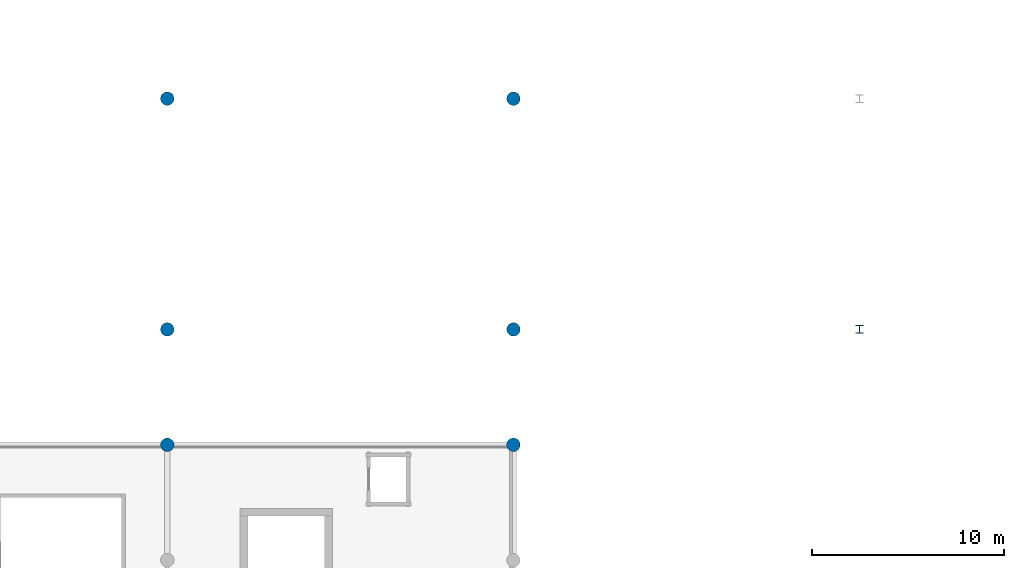
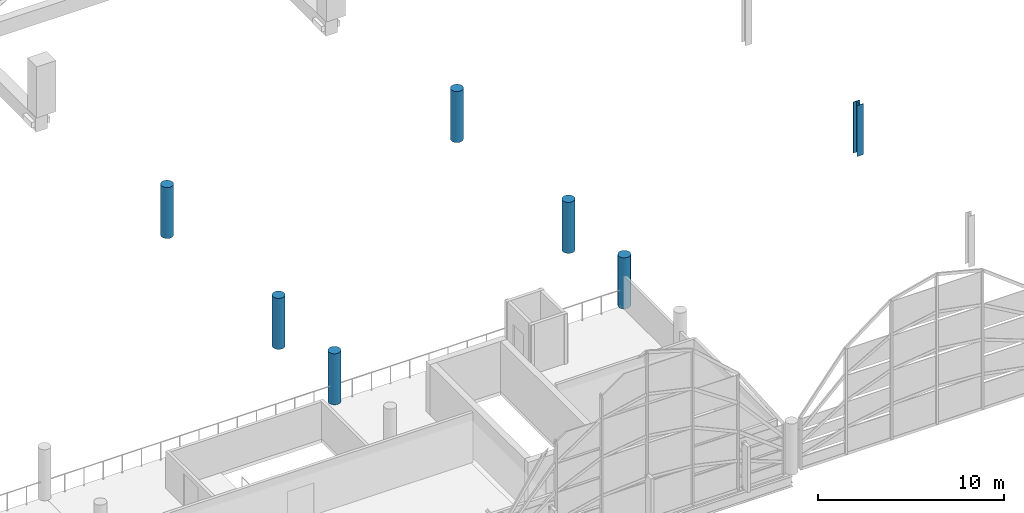
# One storey, part 3 of 116: 7 columns.
"""IFC4 building model written with IfcOpenShell, lengths in metres."""

from ifc_helpers import new_model, si_unit, direction, frame, origin, origin_2d, place, context, subcontext, project, spatial, circle, i_section, extrude, material, material_profile, profile_set, type_object, element, save


model = new_model("IFC4")

# Units and contexts
model_context = context("Model", 3, precision=1e-05, world=origin(), true_north=direction((0.0, 1.0)))
body_context = subcontext(model_context, "Body", "Model", "MODEL_VIEW")
ifc_project = project(units=[si_unit("LENGTHUNIT", "METRE"), si_unit("AREAUNIT", "SQUARE_METRE"), si_unit("VOLUMEUNIT", "CUBIC_METRE"), si_unit("PLANEANGLEUNIT", "RADIAN"), si_unit("MASSUNIT", "GRAM", prefix="KILO")], contexts=[model_context])

# Site, building, storey
site_placement = place(None, origin())
site = spatial("IfcSite", under=ifc_project, at=site_placement, CompositionType="ELEMENT")
building_placement = place(site_placement, origin())
building = spatial("IfcBuilding", under=site, at=building_placement, Name="Chuanluo Vaults Station", CompositionType="ELEMENT")
storey_placement = place(building_placement, frame((0.0, 0.0, 10.800048828125)))
storey = spatial("IfcBuildingStorey", under=building, at=storey_placement, Name="L02", CompositionType="ELEMENT", Elevation=10.800048828125)

# Columns
ifc_material_1 = material(Name="Concrete C40", Category="concrete")
ifc_material_profile_1 = material_profile(ifc_material_1, circle(Radius=0.35009765625, at=origin_2d()))
ifc_profile_set_1 = profile_set([ifc_material_profile_1], Name="Concrete C40")
column_type_1 = type_object("IfcColumnType", Name="COL-CIR-700", PredefinedType="COLUMN", material=ifc_profile_set_1)
for number, where, z_axis, x_axis, name in (
    (1, (72.0, 36.0, 0.0), (0.0, 0.0, 1.0), (1.0, 0.0, 0.0), "Column L02-046"),
    (2, (72.0, 42.0, 0.0), (0.0, 0.0, 1.0), (1.0, 0.0, 0.0), "Column L02-047"),
    (3, (72.0, 54.0, 0.0), (0.0, 0.0, 1.0), (1.0, 0.0, 0.0), "Column L02-048"),
    (4, (90.0, 36.0, 0.0), (0.0, 0.0, 1.0), (1.0, 0.0, 0.0), "Column L02-055"),
    (5, (90.0, 42.0, 0.0), (0.0, 0.0, 1.0), (1.0, 0.0, 0.0), "Column L02-056"),
    (6, (90.0, 54.0, 0.0), (0.0, 0.0, 1.0), (1.0, 0.0, 0.0), "Column L02-057"),
):
    element("IfcColumn", number, at=place(storey_placement, frame(where, z_axis=z_axis, x_axis=x_axis)), inside=storey, type_object=column_type_1, Name=name, PredefinedType="COLUMN", context=body_context, shape_type="SweptSolid", body=[
        extrude(circle(Radius=0.35009765625, at=origin_2d()), origin(), (0.0, 0.0, 1.0), 3.349853515625),
    ])
ifc_material_2 = material(Name="Steel Q355C", Category="steel")
ifc_material_profile_2 = material_profile(ifc_material_2, i_section(OverallWidth=0.39990234375, OverallDepth=0.407958984375, WebThickness=0.02099609375, FlangeThickness=0.02099609375, FilletRadius=0.02197265625, at=origin_2d()))
ifc_profile_set_2 = profile_set([ifc_material_profile_2], Name="Steel Q355C")
column_type_2 = type_object("IfcColumnType", Name="COL-STL-HW408", PredefinedType="COLUMN", material=ifc_profile_set_2)
column_placement = place(storey_placement, frame((108.0, 42.0, 0.0), z_axis=(0.0, 0.0, 1.0), x_axis=(1.0, 0.0, 0.0)))
element("IfcColumn", 7, at=column_placement, inside=storey, type_object=column_type_2, Name="Column L02-064", PredefinedType="COLUMN", context=body_context, shape_type="SweptSolid", body=[
    extrude(i_section(OverallWidth=0.39990234375, OverallDepth=0.407958984375, WebThickness=0.02099609375, FlangeThickness=0.02099609375, FilletRadius=0.02197265625, at=origin_2d()), origin(), (0.0, 0.0, 1.0), 3.349853515625),
])

save(model, "model.ifc")
